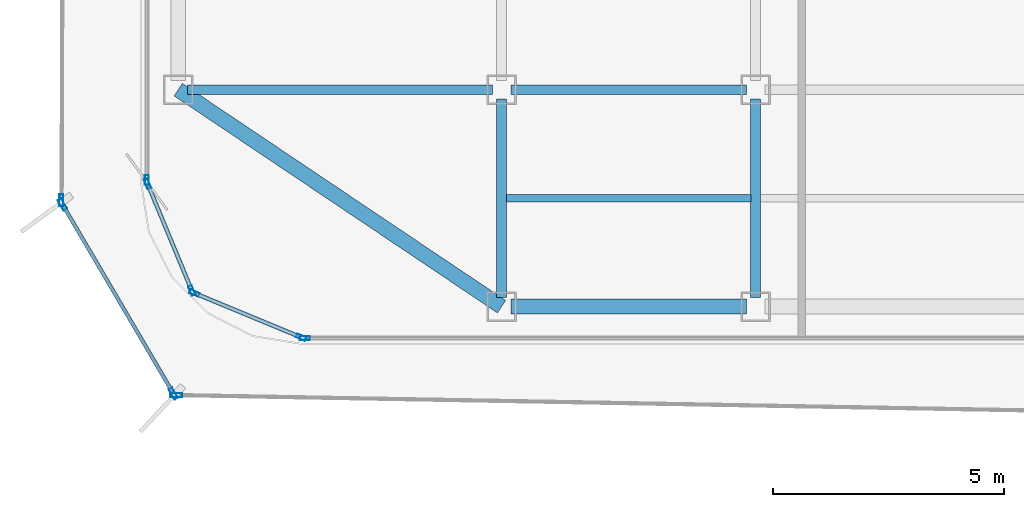
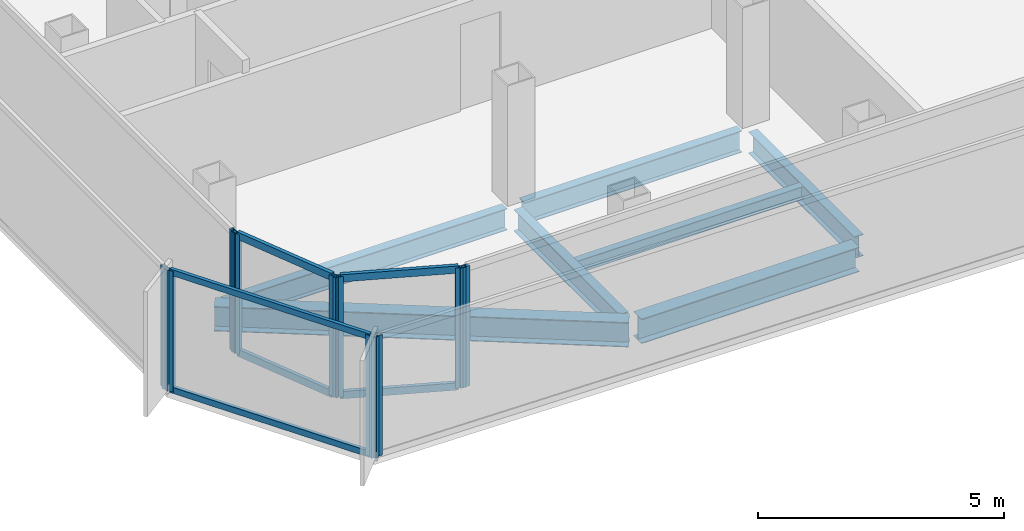
# One storey, part 2 of 14: 16 members, 7 beams, 7 elements without a shape of their own.
"""IFC4 building model written with IfcOpenShell, lengths in metres."""

from ifc_helpers import new_model, si_unit, direction, frame, origin, origin_2d, place, context, subcontext, project, spatial, hollow_rectangle, i_section, extrude, source, transform, mapped, material, layer, layer_set, material_profile, profile_set, type_object, element, aggregate, save


model = new_model("IFC4")

# Units and contexts
model_context = context("Model", 3, precision=1e-05, world=origin(), true_north=direction((0.0, 1.0)))
body_context = subcontext(model_context, "Body", "Model", "MODEL_VIEW")
ifc_project = project(units=[si_unit("LENGTHUNIT", "METRE"), si_unit("AREAUNIT", "SQUARE_METRE"), si_unit("VOLUMEUNIT", "CUBIC_METRE"), si_unit("PLANEANGLEUNIT", "RADIAN"), si_unit("MASSUNIT", "GRAM", prefix="KILO")], contexts=[model_context])

# Site, building, storey
site_placement = place(None, origin())
site = spatial("IfcSite", under=ifc_project, at=site_placement, CompositionType="ELEMENT")
building_placement = place(site_placement, origin())
building = spatial("IfcBuilding", under=site, at=building_placement, Name="Kolveth Station Tower", CompositionType="ELEMENT")
storey_placement = place(building_placement, frame((0.0, 0.0, 226.5)))
storey = spatial("IfcBuildingStorey", under=building, at=storey_placement, Name="L64", CompositionType="ELEMENT", Elevation=226.5)

# Beams
ifc_material_1 = material(Name="Steel S355", Category="steel")
ifc_material_profile_1 = material_profile(ifc_material_1, i_section(OverallWidth=0.323974609375, OverallDepth=0.611083984375, WebThickness=0.0126953125, FlangeThickness=0.01904296875, at=origin_2d()), Name="W610x155")
ifc_profile_set_1 = profile_set([ifc_material_profile_1], Name="Steel S355")
beam_type_1 = type_object("IfcBeamType", Name="Beam_SP2", PredefinedType="SPANDREL", material=ifc_profile_set_1)
shared_shape_1 = source(origin(), body_context, "Body", "SweptSolid", [
    extrude(i_section(OverallWidth=0.323974609375, OverallDepth=0.611083984375, WebThickness=0.0126953125, FlangeThickness=0.01904296875, at=origin_2d()), origin(), (0.0, 0.0, 1.0), 8.431396484375),
])
beam_1_placement = place(storey_placement, frame((6.0, 5.5, -0.525390625), z_axis=(0.830223811004, -0.557430196206, 0.0), x_axis=(0.557430196206, 0.830223811004, 0.0)))
element("IfcBeam", 1, at=beam_1_placement, inside=storey, type_object=beam_type_1, Name="L64 Corner Edge Girder BM-L64-CNR-SW", PredefinedType="SPANDREL", context=body_context, shape_type="MappedRepresentation", body=[
    mapped(shared_shape_1, transform((0.0, 0.0, 0.0), x_axis=(1.0, 0.0, 0.0), y_axis=(0.0, 1.0, 0.0), z_axis=(0.0, 0.0, 1.0), scale=1.0)),
])
shared_shape_2 = source(origin(), body_context, "Body", "SweptSolid", [
    extrude(i_section(OverallWidth=0.323974609375, OverallDepth=0.611083984375, WebThickness=0.0126953125, FlangeThickness=0.01904296875, at=origin_2d()), origin(), (0.0, 0.0, 1.0), 5.10009765625),
])
beam_2_placement = place(storey_placement, frame((13.199951171875, 0.800048828125, -0.525390625), z_axis=(1.0, 0.0, 0.0), x_axis=(0.0, 1.0, 0.0)))
element("IfcBeam", 2, at=beam_2_placement, inside=storey, type_object=beam_type_1, Name="L64 Perimeter Spandrel BM-L64-PS-1", PredefinedType="SPANDREL", context=body_context, shape_type="MappedRepresentation", body=[
    mapped(shared_shape_2, transform((0.0, 0.0, 0.0), x_axis=(1.0, 0.0, 0.0), y_axis=(0.0, 1.0, 0.0), z_axis=(0.0, 0.0, 1.0), scale=1.0)),
])
ifc_material_profile_2 = material_profile(ifc_material_1, i_section(OverallWidth=0.2099609375, OverallDepth=0.537109375, WebThickness=0.010986328125, FlangeThickness=0.017333984375, at=origin_2d()), Name="W530x101")
ifc_profile_set_2 = profile_set([ifc_material_profile_2], Name="Steel S355")
beam_type_2 = type_object("IfcBeamType", Name="Beam_B6", PredefinedType="BEAM", material=ifc_profile_set_2)
shared_shape_3 = source(origin(), body_context, "Body", "SweptSolid", [
    extrude(i_section(OverallWidth=0.2099609375, OverallDepth=0.537109375, WebThickness=0.010986328125, FlangeThickness=0.017333984375, at=origin_2d()), origin(), (0.0, 0.0, 1.0), 6.60009765625),
])
beam_3_placement = place(storey_placement, frame((6.199951171875, 5.5, -0.488525390625), z_axis=(1.0, 0.0, 0.0), x_axis=(0.0, 1.0, 0.0)))
element("IfcBeam", 3, at=beam_3_placement, inside=storey, type_object=beam_type_2, Name="L64 Primary Girder BM-L64-GY55-1", PredefinedType="BEAM", context=body_context, shape_type="MappedRepresentation", body=[
    mapped(shared_shape_3, transform((0.0, 0.0, 0.0), x_axis=(1.0, 0.0, 0.0), y_axis=(0.0, 1.0, 0.0), z_axis=(0.0, 0.0, 1.0), scale=1.0)),
])
shared_shape_4 = source(origin(), body_context, "Body", "SweptSolid", [
    extrude(i_section(OverallWidth=0.2099609375, OverallDepth=0.537109375, WebThickness=0.010986328125, FlangeThickness=0.017333984375, at=origin_2d()), origin(), (0.0, 0.0, 1.0), 5.10009765625),
])
beam_4_placement = place(storey_placement, frame((13.199951171875, 5.5, -0.488525390625), z_axis=(1.0, 0.0, 0.0), x_axis=(0.0, 1.0, 0.0)))
element("IfcBeam", 4, at=beam_4_placement, inside=storey, type_object=beam_type_2, Name="L64 Primary Girder BM-L64-GY55-2", PredefinedType="BEAM", context=body_context, shape_type="MappedRepresentation", body=[
    mapped(shared_shape_4, transform((0.0, 0.0, 0.0), x_axis=(1.0, 0.0, 0.0), y_axis=(0.0, 1.0, 0.0), z_axis=(0.0, 0.0, 1.0), scale=1.0)),
])
shared_shape_5 = source(origin(), body_context, "Body", "SweptSolid", [
    extrude(i_section(OverallWidth=0.2099609375, OverallDepth=0.537109375, WebThickness=0.010986328125, FlangeThickness=0.017333984375, at=origin_2d()), origin(), (0.0, 0.0, 1.0), 4.300048828125),
])
for number, where, z_axis, x_axis, name in (
    (5, (13.0, 1.0, -0.488525390625), (0.0, 1.0, 0.0), (-1.0, 0.0, 0.0), "L64 Primary Girder BM-L64-GX130-1"),
    (6, (18.5, 1.0, -0.488525390625), (0.0, 1.0, 0.0), (-1.0, 0.0, 0.0), "L64 Primary Girder BM-L64-GX185-1"),
):
    element("IfcBeam", number, at=place(storey_placement, frame(where, z_axis=z_axis, x_axis=x_axis)), inside=storey, type_object=beam_type_2, Name=name, PredefinedType="BEAM", context=body_context, shape_type="MappedRepresentation", body=[
        mapped(shared_shape_5, transform((0.0, 0.0, 0.0), x_axis=(1.0, 0.0, 0.0), y_axis=(0.0, 1.0, 0.0), z_axis=(0.0, 0.0, 1.0), scale=1.0)),
    ])
ifc_material_profile_3 = material_profile(ifc_material_1, i_section(OverallWidth=0.1650390625, OverallDepth=0.31005859375, WebThickness=0.005859375, FlangeThickness=0.009765625, at=origin_2d()), Name="W310x39")
ifc_profile_set_3 = profile_set([ifc_material_profile_3], Name="Steel S355")
beam_type_3 = type_object("IfcBeamType", Name="Beam_J3", PredefinedType="JOIST", material=ifc_profile_set_3)
shared_shape_6 = source(origin(), body_context, "Body", "SweptSolid", [
    extrude(i_section(OverallWidth=0.1650390625, OverallDepth=0.31005859375, WebThickness=0.005859375, FlangeThickness=0.009765625, at=origin_2d()), origin(), (0.0, 0.0, 1.0), 5.2939453125),
])
beam_5_placement = place(storey_placement, frame((13.10302734375, 3.14990234375, -0.375), z_axis=(1.0, 0.0, 0.0), x_axis=(0.0, 1.0, 0.0)))
element("IfcBeam", 7, at=beam_5_placement, inside=storey, type_object=beam_type_3, Name="L64 Secondary Joist JST-L64-2-1", PredefinedType="JOIST", context=body_context, shape_type="MappedRepresentation", body=[
    mapped(shared_shape_6, transform((0.0, 0.0, 0.0), x_axis=(1.0, 0.0, 0.0), y_axis=(0.0, 1.0, 0.0), z_axis=(0.0, 0.0, 1.0), scale=1.0)),
])

# Curtain wall, member
ifc_material_2 = material(Name="Black anodized aluminium 6063-T6 and dark solar glass", Category="aluminium")
ifc_layer_1 = layer(ifc_material_2, 0.159912109375)
ifc_layer_set_1 = layer_set([ifc_layer_1], Name="Black anodized aluminium 6063-T6 and dark solar glass")
curtain_wall_type_1 = type_object("IfcCurtainWallType", Name="OUTER SKIN CW-OS", PredefinedType="NOTDEFINED", material=ifc_layer_set_1)
curtain_wall_1_placement = place(storey_placement, origin())
curtain_wall_1 = element("IfcCurtainWall", 8, at=curtain_wall_1_placement, inside=storey, type_object=curtain_wall_type_1, Name="L64 Outer Ventilated Skin Curtain Wall 6", PredefinedType="NOTDEFINED")
ifc_material_3 = material(Name="Black anodized aluminium 6063-T6", Category="aluminium")
ifc_material_profile_4 = material_profile(ifc_material_3, hollow_rectangle(XDim=0.090087890625, YDim=0.260009765625, WallThickness=0.0048828125, at=origin_2d()), Name="ALU-90x260x5")
ifc_profile_set_4 = profile_set([ifc_material_profile_4], Name="Black anodized aluminium 6063-T6")
member_type_1 = type_object("IfcMemberType", Name="FIN MULLION ML-OS", PredefinedType="MULLION", material=ifc_profile_set_4)
shared_shape_7 = source(origin(), body_context, "Body", "SweptSolid", [
    extrude(hollow_rectangle(XDim=0.090087890625, YDim=0.260009765625, WallThickness=0.0048828125, at=origin_2d()), origin(), (0.0, 0.0, 1.0), 2.989990234375),
])
member_1_placement = place(storey_placement, frame((3.46875, 3.099853515625, 0.0), z_axis=(0.0, 0.0, 1.0), x_axis=(0.999995086871, -0.003134682282, 0.0)))
member_1 = element("IfcMember", 9, at=member_1_placement, type_object=member_type_1, Name="CW-OS mullion 2", PredefinedType="MULLION", context=body_context, shape_type="MappedRepresentation", body=[
    mapped(shared_shape_7, transform((0.0, 0.0, 0.0), x_axis=(1.0, 0.0, 0.0), y_axis=(0.0, 1.0, 0.0), z_axis=(0.0, 0.0, 1.0), scale=1.0)),
])
aggregate(curtain_wall_1, [member_1])

# Curtain wall, members
curtain_wall_2_placement = place(storey_placement, origin())
curtain_wall_2 = element("IfcCurtainWall", 10, at=curtain_wall_2_placement, inside=storey, type_object=curtain_wall_type_1, Name="L64 Outer Ventilated Skin Curtain Wall 7", PredefinedType="NOTDEFINED")
member_2_placement = place(storey_placement, frame((3.491455078125, 3.01611328125, 0.0), z_axis=(0.0, 0.0, 1.0), x_axis=(0.862561716305, 0.505951860917, 0.0)))
member_2 = element("IfcMember", 11, at=member_2_placement, type_object=member_type_1, Name="CW-OS mullion 1", PredefinedType="MULLION", context=body_context, shape_type="MappedRepresentation", body=[
    mapped(shared_shape_7, transform((0.0, 0.0, 0.0), x_axis=(1.0, 0.0, 0.0), y_axis=(0.0, 1.0, 0.0), z_axis=(0.0, 0.0, 1.0), scale=1.0)),
])
member_3_placement = place(storey_placement, frame((5.893310546875, -1.07861328125, 0.0), z_axis=(0.0, 0.0, 1.0), x_axis=(0.862561716305, 0.505951860917, 0.0)))
member_3 = element("IfcMember", 12, at=member_3_placement, type_object=member_type_1, Name="CW-OS mullion 2", PredefinedType="MULLION", context=body_context, shape_type="MappedRepresentation", body=[
    mapped(shared_shape_7, transform((0.0, 0.0, 0.0), x_axis=(1.0, 0.0, 0.0), y_axis=(0.0, 1.0, 0.0), z_axis=(0.0, 0.0, 1.0), scale=1.0)),
])

# Curtain wall, member
curtain_wall_3_placement = place(storey_placement, origin())
curtain_wall_3 = element("IfcCurtainWall", 13, at=curtain_wall_3_placement, inside=storey, type_object=curtain_wall_type_1, Name="L64 Outer Ventilated Skin Curtain Wall 8", PredefinedType="NOTDEFINED")
member_4_placement = place(storey_placement, frame((5.9609375, -1.118408203125, 0.0), z_axis=(0.0, 0.0, 1.0), x_axis=(0.017968591408, 0.999838551829, 0.0)))
member_4 = element("IfcMember", 14, at=member_4_placement, type_object=member_type_1, Name="CW-OS mullion 1", PredefinedType="MULLION", context=body_context, shape_type="MappedRepresentation", body=[
    mapped(shared_shape_7, transform((0.0, 0.0, 0.0), x_axis=(1.0, 0.0, 0.0), y_axis=(0.0, 1.0, 0.0), z_axis=(0.0, 0.0, 1.0), scale=1.0)),
])
aggregate(curtain_wall_3, [member_4])

ifc_material_4 = material(Name="Aluminium 6063-T6 and triple low-E dark glass", Category="aluminium")
ifc_layer_2 = layer(ifc_material_4, 0.199951171875)
ifc_layer_set_2 = layer_set([ifc_layer_2], Name="Aluminium 6063-T6 and triple low-E dark glass")
curtain_wall_type_2 = type_object("IfcCurtainWallType", Name="CurtainWall_CW-Z3", PredefinedType="NOTDEFINED", material=ifc_layer_set_2)
curtain_wall_4_placement = place(storey_placement, origin())
curtain_wall_4 = element("IfcCurtainWall", 15, at=curtain_wall_4_placement, inside=storey, type_object=curtain_wall_type_2, Name="L64 Inner Thermal Curtain Wall 9", PredefinedType="NOTDEFINED")
ifc_material_profile_5 = material_profile(ifc_material_3, hollow_rectangle(XDim=0.0849609375, YDim=0.215087890625, WallThickness=0.0048828125, at=origin_2d()), Name="ALU-85x215x5")
ifc_profile_set_5 = profile_set([ifc_material_profile_5], Name="Black anodized aluminium 6063-T6")
member_type_2 = type_object("IfcMemberType", Name="Mullion_ML3", PredefinedType="MULLION", material=ifc_profile_set_5)
shared_shape_8 = source(origin(), body_context, "Body", "SweptSolid", [
    extrude(hollow_rectangle(XDim=0.0849609375, YDim=0.215087890625, WallThickness=0.0048828125, at=origin_2d()), origin(), (0.0, 0.0, 1.0), 2.97998046875),
])
member_5_placement = place(storey_placement, frame((5.320068359375, 3.54248046875, 0.0), z_axis=(0.0, 0.0, 1.0), x_axis=(1.0, 0.0, 0.0)))
member_5 = element("IfcMember", 16, at=member_5_placement, type_object=member_type_2, Name="CW-Z3 mullion 2", PredefinedType="MULLION", context=body_context, shape_type="MappedRepresentation", body=[
    mapped(shared_shape_8, transform((0.0, 0.0, 0.0), x_axis=(1.0, 0.0, 0.0), y_axis=(0.0, 1.0, 0.0), z_axis=(0.0, 0.0, 1.0), scale=1.0)),
])
aggregate(curtain_wall_4, [member_5])

# Curtain wall, members
curtain_wall_5_placement = place(storey_placement, origin())
curtain_wall_5 = element("IfcCurtainWall", 17, at=curtain_wall_5_placement, inside=storey, type_object=curtain_wall_type_2, Name="L64 Inner Thermal Curtain Wall 10", PredefinedType="NOTDEFINED")
member_6_placement = place(storey_placement, frame((5.336181640625, 3.460693359375, 0.0), z_axis=(0.0, 0.0, 1.0), x_axis=(0.923875488975, 0.382693194181, 0.0)))
member_6 = element("IfcMember", 18, at=member_6_placement, type_object=member_type_2, Name="CW-Z3 mullion 1", PredefinedType="MULLION", context=body_context, shape_type="MappedRepresentation", body=[
    mapped(shared_shape_8, transform((0.0, 0.0, 0.0), x_axis=(1.0, 0.0, 0.0), y_axis=(0.0, 1.0, 0.0), z_axis=(0.0, 0.0, 1.0), scale=1.0)),
])
member_7_placement = place(storey_placement, frame((6.293701171875, 1.149169921875, 0.0), z_axis=(0.0, 0.0, 1.0), x_axis=(0.923875488975, 0.382693194181, 0.0)))
member_7 = element("IfcMember", 19, at=member_7_placement, type_object=member_type_2, Name="CW-Z3 mullion 2", PredefinedType="MULLION", context=body_context, shape_type="MappedRepresentation", body=[
    mapped(shared_shape_8, transform((0.0, 0.0, 0.0), x_axis=(1.0, 0.0, 0.0), y_axis=(0.0, 1.0, 0.0), z_axis=(0.0, 0.0, 1.0), scale=1.0)),
])

curtain_wall_6_placement = place(storey_placement, origin())
curtain_wall_6 = element("IfcCurtainWall", 20, at=curtain_wall_6_placement, inside=storey, type_object=curtain_wall_type_2, Name="L64 Inner Thermal Curtain Wall 11", PredefinedType="NOTDEFINED")
member_8_placement = place(storey_placement, frame((6.349365234375, 1.09375, 0.0), z_axis=(0.0, 0.0, 1.0), x_axis=(0.382693194181, 0.923875488975, 0.0)))
member_8 = element("IfcMember", 21, at=member_8_placement, type_object=member_type_2, Name="CW-Z3 mullion 1", PredefinedType="MULLION", context=body_context, shape_type="MappedRepresentation", body=[
    mapped(shared_shape_8, transform((0.0, 0.0, 0.0), x_axis=(1.0, 0.0, 0.0), y_axis=(0.0, 1.0, 0.0), z_axis=(0.0, 0.0, 1.0), scale=1.0)),
])
member_9_placement = place(storey_placement, frame((8.66064453125, 0.13623046875, 0.0), z_axis=(0.0, 0.0, 1.0), x_axis=(0.382693194181, 0.923875488975, 0.0)))
member_9 = element("IfcMember", 22, at=member_9_placement, type_object=member_type_2, Name="CW-Z3 mullion 2", PredefinedType="MULLION", context=body_context, shape_type="MappedRepresentation", body=[
    mapped(shared_shape_8, transform((0.0, 0.0, 0.0), x_axis=(1.0, 0.0, 0.0), y_axis=(0.0, 1.0, 0.0), z_axis=(0.0, 0.0, 1.0), scale=1.0)),
])

# Curtain wall, member
curtain_wall_7_placement = place(storey_placement, origin())
curtain_wall_7 = element("IfcCurtainWall", 23, at=curtain_wall_7_placement, inside=storey, type_object=curtain_wall_type_2, Name="L64 Inner Thermal Curtain Wall 12", PredefinedType="NOTDEFINED")
member_10_placement = place(storey_placement, frame((8.742431640625, 0.1201171875, 0.0), z_axis=(0.0, 0.0, 1.0), x_axis=(0.0, 1.0, 0.0)))
member_10 = element("IfcMember", 24, at=member_10_placement, type_object=member_type_2, Name="CW-Z3 mullion 1", PredefinedType="MULLION", context=body_context, shape_type="MappedRepresentation", body=[
    mapped(shared_shape_8, transform((0.0, 0.0, 0.0), x_axis=(1.0, 0.0, 0.0), y_axis=(0.0, 1.0, 0.0), z_axis=(0.0, 0.0, 1.0), scale=1.0)),
])
aggregate(curtain_wall_7, [member_10])

# Member
ifc_material_profile_6 = material_profile(ifc_material_3, hollow_rectangle(XDim=0.0849609375, YDim=0.179931640625, WallThickness=0.0048828125, at=origin_2d()), Name="ALU-85x180x5")
ifc_profile_set_6 = profile_set([ifc_material_profile_6], Name="Black anodized aluminium 6063-T6")
member_type_3 = type_object("IfcMemberType", Name="Transom_TR3", PredefinedType="USERDEFINED", material=ifc_profile_set_6)
shared_shape_9 = source(origin(), body_context, "Body", "SweptSolid", [
    extrude(hollow_rectangle(XDim=0.0849609375, YDim=0.179931640625, WallThickness=0.0048828125, at=origin_2d()), origin(), (0.0, 0.0, 1.0), 2.4169921875),
])
member_11_placement = place(storey_placement, frame((5.3525390625, 3.42138671875, 0.04248046875), z_axis=(0.382735401206, -0.9238580046, 0.0), x_axis=(0.9238580046, 0.382735401206, 0.0)))
member_11 = element("IfcMember", 25, at=member_11_placement, type_object=member_type_3, Name="CW-Z3 transom 1.1", ObjectType="TRANSOM", PredefinedType="USERDEFINED", context=body_context, shape_type="MappedRepresentation", body=[
    mapped(shared_shape_9, transform((0.0, 0.0, 0.0), x_axis=(1.0, 0.0, 0.0), y_axis=(0.0, 1.0, 0.0), z_axis=(0.0, 0.0, 1.0), scale=1.0)),
])

member_12_placement = place(storey_placement, frame((5.3525390625, 3.42138671875, 2.9375), z_axis=(0.382735401206, -0.9238580046, 0.0), x_axis=(0.9238580046, 0.382735401206, 0.0)))
member_12 = element("IfcMember", 26, at=member_12_placement, type_object=member_type_3, Name="CW-Z3 transom 1.2", ObjectType="TRANSOM", PredefinedType="USERDEFINED", context=body_context, shape_type="MappedRepresentation", body=[
    mapped(shared_shape_9, transform((0.0, 0.0, 0.0), x_axis=(1.0, 0.0, 0.0), y_axis=(0.0, 1.0, 0.0), z_axis=(0.0, 0.0, 1.0), scale=1.0)),
])

aggregate(curtain_wall_5, [member_6, member_7, member_11, member_12])

member_13_placement = place(storey_placement, frame((6.388427734375, 1.077392578125, 0.04248046875), z_axis=(0.923908507952, -0.382613471971, 0.0), x_axis=(0.382613471971, 0.923908507952, 0.0)))
member_13 = element("IfcMember", 27, at=member_13_placement, type_object=member_type_3, Name="CW-Z3 transom 1.1", ObjectType="TRANSOM", PredefinedType="USERDEFINED", context=body_context, shape_type="MappedRepresentation", body=[
    mapped(shared_shape_9, transform((0.0, 0.0, 0.0), x_axis=(1.0, 0.0, 0.0), y_axis=(0.0, 1.0, 0.0), z_axis=(0.0, 0.0, 1.0), scale=1.0)),
])

member_14_placement = place(storey_placement, frame((6.388427734375, 1.077392578125, 2.9375), z_axis=(0.923908507952, -0.382613471971, 0.0), x_axis=(0.382613471971, 0.923908507952, 0.0)))
member_14 = element("IfcMember", 28, at=member_14_placement, type_object=member_type_3, Name="CW-Z3 transom 1.2", ObjectType="TRANSOM", PredefinedType="USERDEFINED", context=body_context, shape_type="MappedRepresentation", body=[
    mapped(shared_shape_9, transform((0.0, 0.0, 0.0), x_axis=(1.0, 0.0, 0.0), y_axis=(0.0, 1.0, 0.0), z_axis=(0.0, 0.0, 1.0), scale=1.0)),
])

aggregate(curtain_wall_6, [member_8, member_9, member_13, member_14])

ifc_material_profile_7 = material_profile(ifc_material_3, hollow_rectangle(XDim=0.080078125, YDim=0.14990234375, WallThickness=0.0048828125, at=origin_2d()), Name="ALU-80x150x5")
ifc_profile_set_7 = profile_set([ifc_material_profile_7], Name="Black anodized aluminium 6063-T6")
member_type_4 = type_object("IfcMemberType", Name="Transom_TR-OS", PredefinedType="USERDEFINED", material=ifc_profile_set_7)
shared_shape_10 = source(origin(), body_context, "Body", "SweptSolid", [
    extrude(hollow_rectangle(XDim=0.080078125, YDim=0.14990234375, WallThickness=0.0048828125, at=origin_2d()), origin(), (0.0, 0.0, 1.0), 4.6572265625),
])
member_15_placement = place(storey_placement, frame((3.51416015625, 2.977294921875, 0.0400390625), z_axis=(0.50593608892, -0.862570967474, 0.0), x_axis=(0.862570967474, 0.50593608892, 0.0)))
member_15 = element("IfcMember", 29, at=member_15_placement, type_object=member_type_4, Name="CW-OS transom 1.1", ObjectType="TRANSOM", PredefinedType="USERDEFINED", context=body_context, shape_type="MappedRepresentation", body=[
    mapped(shared_shape_10, transform((0.0, 0.0, 0.0), x_axis=(1.0, 0.0, 0.0), y_axis=(0.0, 1.0, 0.0), z_axis=(0.0, 0.0, 1.0), scale=1.0)),
])

member_16_placement = place(storey_placement, frame((3.51416015625, 2.977294921875, 2.949951171875), z_axis=(0.50593608892, -0.862570967474, 0.0), x_axis=(0.862570967474, 0.50593608892, 0.0)))
member_16 = element("IfcMember", 30, at=member_16_placement, type_object=member_type_4, Name="CW-OS transom 1.2", ObjectType="TRANSOM", PredefinedType="USERDEFINED", context=body_context, shape_type="MappedRepresentation", body=[
    mapped(shared_shape_10, transform((0.0, 0.0, 0.0), x_axis=(1.0, 0.0, 0.0), y_axis=(0.0, 1.0, 0.0), z_axis=(0.0, 0.0, 1.0), scale=1.0)),
])

aggregate(curtain_wall_2, [member_2, member_3, member_15, member_16])

save(model, "model.ifc")
